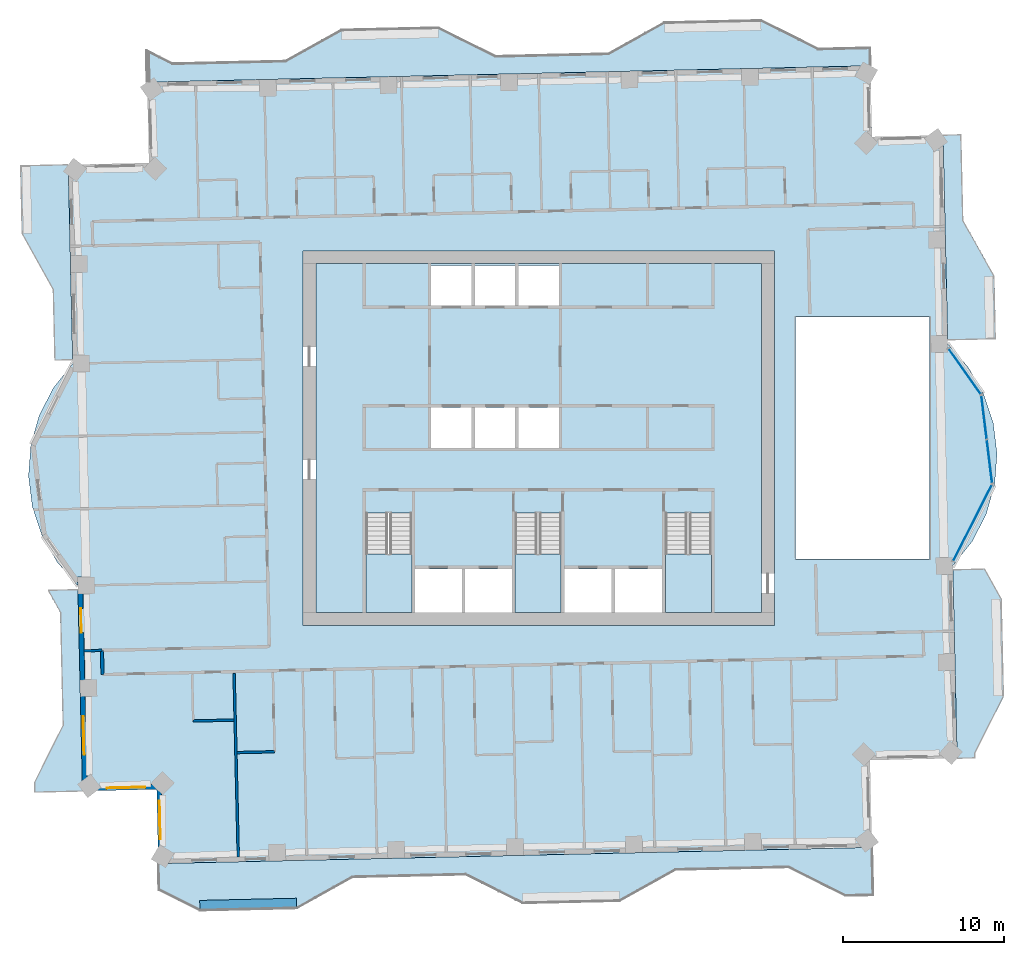
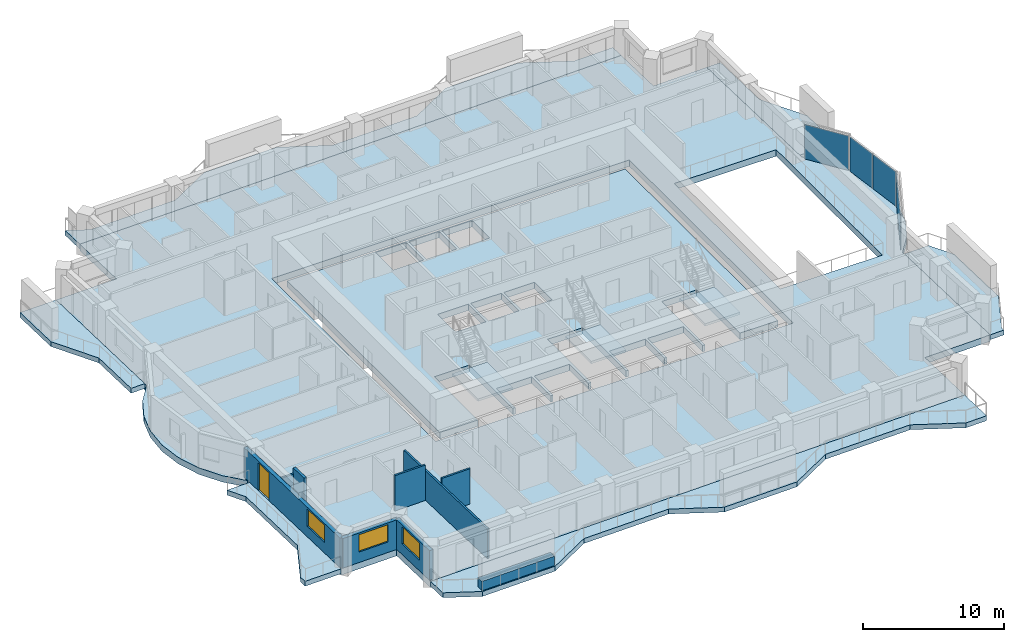
# One storey, part 5 of 17: 11 slabs, 9 walls, 4 plates, 3 windows, 1 door, 4 openings, 6 elements without a shape of their own.
"""IFC4 building model written with IfcOpenShell, lengths in metres."""

from ifc_helpers import new_model, si_unit, direction, frame, frame_2d, origin, origin_2d, place, context, subcontext, project, spatial, polyline, rectangle, outline, extrude, material, layer, layer_set, type_object, element, fill, aggregate, save


model = new_model("IFC4")

# Units and contexts
model_context = context("Model", 3, precision=1e-05, world=origin(), true_north=direction((0.0, 1.0)))
body_context = subcontext(model_context, "Body", "Model", "MODEL_VIEW")
ifc_project = project(units=[si_unit("LENGTHUNIT", "METRE"), si_unit("AREAUNIT", "SQUARE_METRE"), si_unit("VOLUMEUNIT", "CUBIC_METRE"), si_unit("PLANEANGLEUNIT", "RADIAN"), si_unit("MASSUNIT", "GRAM", prefix="KILO")], contexts=[model_context])

# Site, building, storey
site_placement = place(None, origin())
site = spatial("IfcSite", under=ifc_project, at=site_placement, CompositionType="ELEMENT")
building_placement = place(site_placement, origin())
building = spatial("IfcBuilding", under=site, at=building_placement, Name="Mangrove Gate Tower", CompositionType="ELEMENT")
storey_placement = place(building_placement, frame((0.0, 0.0, 241.89990234375)))
storey = spatial("IfcBuildingStorey", under=building, at=storey_placement, Name="L61", CompositionType="ELEMENT", Elevation=241.89990234375)

# Curtain wall, plate
ifc_material_1 = material(Name="Aluminium and glass curtain wall", Category="aluminium")
curtain_wall_type = type_object("IfcCurtainWallType", Name="Atrium garden-court glazing wall", PredefinedType="NOTDEFINED", material=ifc_material_1)
curtain_wall_1_placement = place(storey_placement, origin())
curtain_wall_1 = element("IfcCurtainWall", 1, at=curtain_wall_1_placement, inside=storey, type_object=curtain_wall_type, Name="Atrium garden-court glazing E1f1", PredefinedType="NOTDEFINED")
ifc_material_2 = material(Name="Laminated low-e glass", Category="glass")
ifc_layer_1 = layer(ifc_material_2, 0.031982421875)
ifc_layer_set_1 = layer_set([ifc_layer_1], Name="Atrium garden-court glazing panel 32")
plate_type = type_object("IfcPlateType", Name="Atrium garden-court glazing panel 32", PredefinedType="CURTAIN_PANEL", material=ifc_layer_set_1)
plate_1_placement = place(storey_placement, frame((26.87890625, -5.256591796875, 0.0), z_axis=(0.0, 0.0, 1.0), x_axis=(0.452597795636, 0.891714772439, 0.0)))
plate_1 = element("IfcPlate", 2, at=plate_1_placement, type_object=plate_type, Name="CWA panel 1.1", PredefinedType="CURTAIN_PANEL", context=body_context, shape_type="SweptSolid", body=[
    extrude(rectangle(XDim=5.258056640625, YDim=0.031982421875, at=origin_2d()), origin(), (0.0, 0.0, 1.0), 2.97998046875),
])
aggregate(curtain_wall_1, [plate_1])

# Curtain wall, plates
curtain_wall_2_placement = place(storey_placement, origin())
curtain_wall_2 = element("IfcCurtainWall", 3, at=curtain_wall_2_placement, inside=storey, type_object=curtain_wall_type, Name="Atrium garden-court glazing E1f2", PredefinedType="NOTDEFINED")
plate_2_placement = place(storey_placement, frame((27.92822265625, -1.449462890625, 0.0), z_axis=(0.0, 0.0, 1.0), x_axis=(-0.122172285885, 0.992508908051, 0.0)))
plate_2 = element("IfcPlate", 4, at=plate_2_placement, type_object=plate_type, Name="CWA panel 1.1", PredefinedType="CURTAIN_PANEL", context=body_context, shape_type="SweptSolid", body=[
    extrude(rectangle(XDim=2.681640625, YDim=0.031982421875, at=origin_2d()), origin(), (0.0, 0.0, 1.0), 2.97998046875),
])
plate_3_placement = place(storey_placement, frame((27.592041015625, 1.281494140625, 0.0), z_axis=(0.0, 0.0, 1.0), x_axis=(-0.122172285885, 0.992508908051, 0.0)))
plate_3 = element("IfcPlate", 5, at=plate_3_placement, type_object=plate_type, Name="CWA panel 2.1", PredefinedType="CURTAIN_PANEL", context=body_context, shape_type="SweptSolid", body=[
    extrude(rectangle(XDim=2.681640625, YDim=0.031982421875, at=origin_2d()), origin(), (0.0, 0.0, 1.0), 2.97998046875),
])
aggregate(curtain_wall_2, [plate_2, plate_3])

# Curtain wall, plate
curtain_wall_3_placement = place(storey_placement, origin())
curtain_wall_3 = element("IfcCurtainWall", 6, at=curtain_wall_3_placement, inside=storey, type_object=curtain_wall_type, Name="Atrium garden-court glazing E1f3", PredefinedType="NOTDEFINED")
plate_4_placement = place(storey_placement, frame((26.38818359375, 4.1376953125, 0.0), z_axis=(0.0, 0.0, 1.0), x_axis=(-0.578120908245, 0.815951110944, 0.0)))
plate_4 = element("IfcPlate", 7, at=plate_4_placement, type_object=plate_type, Name="CWA panel 1.1", PredefinedType="CURTAIN_PANEL", context=body_context, shape_type="SweptSolid", body=[
    extrude(rectangle(XDim=3.4287109375, YDim=0.031982421875, at=origin_2d()), origin(), (0.0, 0.0, 1.0), 2.97998046875),
])
aggregate(curtain_wall_3, [plate_4])

# Slabs
ifc_material_3 = material(Name="Porcelain tile")
ifc_layer_2 = layer(ifc_material_3, 0.02001953125, Name="Tile finish")
ifc_material_4 = material(Name="Cement sand screed")
ifc_layer_3 = layer(ifc_material_4, 0.0400390625, Name="Screed laid to falls")
ifc_material_5 = material(Name="Bituminous waterproofing membrane")
ifc_layer_4 = layer(ifc_material_5, 0.00390625, Name="Waterproofing")
ifc_material_6 = material(Name="Concrete C40/50", Category="concrete")
ifc_layer_5 = layer(ifc_material_6, 0.340087890625, Name="Balcony structural slab")
ifc_material_7 = material(Name="Limestone", Category="masonry")
ifc_layer_6 = layer(ifc_material_7, 0.01611328125, Name="Soffit lining")
ifc_layer_set_2 = layer_set([ifc_layer_2, ifc_layer_3, ifc_layer_4, ifc_layer_5, ifc_layer_6], Name="Balcony slab 420 C40/50")
slab_type_1 = type_object("IfcSlabType", Name="Balcony slab 420 C40/50", PredefinedType="FLOOR", material=ifc_layer_set_2)
slab_1_placement = place(storey_placement, frame((0.0, 0.0, -0.419921875)))
element("IfcSlab", 8, at=slab_1_placement, inside=storey, type_object=slab_type_1, Name="BALCONY L61 E0", PredefinedType="FLOOR", context=body_context, shape_type="SweptSolid", body=[
    extrude(outline(polyline([(27.06298828125, -19.803955078125), (27.055908203125, -19.50390625), (28.826904296875, -15.962890625), (28.68994140625, -9.965087890625), (27.656982421875, -8.113037109375), (25.658935546875, -8.158935546875), (25.700927734375, -10.032958984375), (25.8369140625, -16.031005859375), (25.9169921875, -19.530029296875), (25.924072265625, -19.830078125), (27.06298828125, -19.803955078125)])), origin(), (0.0, 0.0, 1.0), 0.419921875),
])
slab_2_placement = place(storey_placement, frame((0.0, 0.0, -0.419921875)))
element("IfcSlab", 9, at=slab_2_placement, inside=storey, type_object=slab_type_1, Name="BALCONY L61 E1", PredefinedType="FLOOR", context=body_context, shape_type="SweptSolid", body=[
    extrude(outline(polyline([(28.324951171875, 6.156005859375), (28.237060546875, 10.030029296875), (26.30810546875, 13.487060546875), (26.18798828125, 18.785888671875), (25.048095703125, 18.760009765625), (25.16796875, 13.4609375), (25.2470703125, 9.9619140625), (25.3349609375, 6.087890625), (28.324951171875, 6.156005859375)])), origin(), (0.0, 0.0, 1.0), 0.419921875),
])
slab_3_placement = place(storey_placement, frame((0.0, 0.0, -0.419921875)))
element("IfcSlab", 10, at=slab_3_placement, inside=storey, type_object=slab_type_1, Name="BALCONY L61 N0", PredefinedType="FLOOR", context=body_context, shape_type="SweptSolid", body=[
    extrude(outline(polyline([(20.52294921875, 24.198974609375), (17.320068359375, 24.1259765625), (13.779052734375, 25.89599609375), (7.781005859375, 25.760009765625), (4.322998046875, 23.8310546875), (-2.675048828125, 23.673095703125), (-6.216064453125, 25.44189453125), (-12.214111328125, 25.305908203125), (-15.6708984375, 23.376953125), (-22.669921875, 23.218994140625), (-24.2919921875, 24.030029296875), (-24.2470703125, 22.0419921875), (-2.64892578125, 22.531982421875), (-1.84912109375, 22.551025390625), (20.549072265625, 23.05908203125), (20.52294921875, 24.198974609375)])), origin(), (0.0, 0.0, 1.0), 0.419921875),
])
slab_4_placement = place(storey_placement, frame((0.0, 0.0, -0.419921875)))
element("IfcSlab", 11, at=slab_4_placement, inside=storey, type_object=slab_type_1, Name="BALCONY L61 W0", PredefinedType="FLOOR", context=body_context, shape_type="SweptSolid", body=[
    extrude(outline(polyline([(-32.1220703125, 16.862060546875), (-32.027099609375, 12.6630859375), (-30.097900390625, 9.2060546875), (-29.998046875, 4.8330078125), (-28.85888671875, 4.85888671875), (-28.9580078125, 9.23193359375), (-29.037109375, 12.73095703125), (-29.133056640625, 16.929931640625), (-32.1220703125, 16.862060546875)])), origin(), (0.0, 0.0, 1.0), 0.419921875),
])
slab_5_placement = place(storey_placement, frame((0.0, 0.0, -0.419921875)))
element("IfcSlab", 12, at=slab_5_placement, inside=storey, type_object=slab_type_1, Name="BALCONY L61 W1", PredefinedType="FLOOR", context=body_context, shape_type="SweptSolid", body=[
    extrude(outline(polyline([(-30.402099609375, -9.430908203125), (-29.64404296875, -10.7890625), (-29.485107421875, -17.787109375), (-31.2548828125, -21.327880859375), (-31.241943359375, -21.927978515625), (-28.251953125, -21.860107421875), (-28.26611328125, -21.260009765625), (-28.344970703125, -17.760986328125), (-28.50390625, -10.762939453125), (-28.534912109375, -9.387939453125), (-30.402099609375, -9.430908203125)])), origin(), (0.0, 0.0, 1.0), 0.419921875),
])
slab_6_placement = place(storey_placement, frame((0.0, 0.0, -0.419921875)))
element("IfcSlab", 13, at=slab_6_placement, inside=storey, type_object=slab_type_1, Name="BALCONY L61 S0", PredefinedType="FLOOR", context=body_context, shape_type="SweptSolid", body=[
    extrude(outline(polyline([(-23.549072265625, -26.35400390625), (-23.510986328125, -28.02001953125), (-20.97802734375, -29.287109375), (-14.97998046875, -29.15087890625), (-11.52197265625, -27.221923828125), (-4.52392578125, -27.06298828125), (-0.98291015625, -28.8330078125), (5.014892578125, -28.697021484375), (8.471923828125, -26.76806640625), (15.470947265625, -26.610107421875), (19.011962890625, -28.37890625), (20.715087890625, -28.341064453125), (20.64697265625, -25.35107421875), (-21.0458984375, -26.298095703125), (-23.549072265625, -26.35400390625)])), origin(), (0.0, 0.0, 1.0), 0.419921875),
])
ifc_material_8 = material(Name="Concrete C40/50", Category="concrete")
ifc_layer_7 = layer(ifc_material_8, 0.550048828125)
ifc_layer_set_3 = layer_set([ifc_layer_7], Name="Core floor slab 550 C40/50")
slab_type_2 = type_object("IfcSlabType", Name="Core floor slab 550 C40/50", PredefinedType="FLOOR", material=ifc_layer_set_3)
slab_7_placement = place(storey_placement, frame((0.0, 0.0, -0.5498046875)))
element("IfcSlab", 14, at=slab_7_placement, inside=storey, type_object=slab_type_2, Name="SLAB-L61-CORE-1", PredefinedType="FLOOR", context=body_context, shape_type="SweptSolid", body=[
    extrude(outline(polyline([(-13.800048828125, -10.800048828125), (-13.800048828125, 10.800048828125), (13.800048828125, 10.800048828125), (13.800048828125, -10.800048828125), (10.699951171875, -10.800048828125), (10.699951171875, -4.653076171875), (7.85009765625, -4.653076171875), (7.85009765625, -10.800048828125), (7.64990234375, -10.800048828125), (7.64990234375, -8.10009765625), (4.72509765625, -8.10009765625), (4.72509765625, -10.800048828125), (4.52490234375, -10.800048828125), (4.52490234375, -8.10009765625), (1.60009765625, -8.10009765625), (1.60009765625, -10.800048828125), (1.39990234375, -10.800048828125), (1.39990234375, -4.653076171875), (-1.449951171875, -4.653076171875), (-1.449951171875, -10.800048828125), (-1.64990234375, -10.800048828125), (-1.64990234375, -8.10009765625), (-4.550048828125, -8.10009765625), (-4.550048828125, -10.800048828125), (-4.75, -10.800048828125), (-4.75, -8.10009765625), (-7.64990234375, -8.10009765625), (-7.64990234375, -10.800048828125), (-7.85009765625, -10.800048828125), (-7.85009765625, -4.653076171875), (-10.699951171875, -4.653076171875), (-10.699951171875, -10.800048828125), (-13.800048828125, -10.800048828125)]), holes=[polyline([(-4.14990234375, 1.89990234375), (-6.64990234375, 1.89990234375), (-6.64990234375, -0.60009765625), (-4.14990234375, -0.60009765625), (-4.14990234375, 1.89990234375)]), polyline([(-1.449951171875, -0.60009765625), (-1.449951171875, 1.89990234375), (-3.949951171875, 1.89990234375), (-3.949951171875, -0.60009765625), (-1.449951171875, -0.60009765625)]), polyline([(-4.14990234375, 8.199951171875), (-4.14990234375, 10.699951171875), (-6.64990234375, 10.699951171875), (-6.64990234375, 8.199951171875), (-4.14990234375, 8.199951171875)]), polyline([(-1.449951171875, 10.699951171875), (-3.949951171875, 10.699951171875), (-3.949951171875, 8.199951171875), (-1.449951171875, 8.199951171875), (-1.449951171875, 10.699951171875)]), polyline([(1.25, -0.60009765625), (1.25, 1.89990234375), (-1.25, 1.89990234375), (-1.25, -0.60009765625), (1.25, -0.60009765625)]), polyline([(1.25, 8.199951171875), (1.25, 10.699951171875), (-1.25, 10.699951171875), (-1.25, 8.199951171875), (1.25, 8.199951171875)])]), origin(), (0.0, 0.0, 1.0), 0.5498046875),
])

# Stair, slab
ifc_material_9 = material(Name="Concrete C40/50", Category="concrete")
stair_type = type_object("IfcStairType", Name="Core stair 1350", PredefinedType="HALF_TURN_STAIR", material=ifc_material_9)
stair_1_placement = place(storey_placement, origin())
stair_1 = element("IfcStair", 15, at=stair_1_placement, inside=storey, type_object=stair_type, Name="L61 Stair 1", PredefinedType="HALF_TURN_STAIR")
ifc_material_10 = material(Name="Concrete C40/50", Category="concrete")
ifc_layer_8 = layer(ifc_material_10, 0.199951171875)
ifc_layer_set_4 = layer_set([ifc_layer_8], Name="Core stair landing 200")
slab_type_3 = type_object("IfcSlabType", Name="Core stair landing 200", PredefinedType="LANDING", material=ifc_layer_set_4)
slab_8_placement = place(storey_placement, frame((0.0, 0.0, 1.60009765625)))
slab_8 = element("IfcSlab", 16, at=slab_8_placement, type_object=slab_type_3, Name="ST1 landing 1", PredefinedType="LANDING", context=body_context, shape_type="SweptSolid", body=[
    extrude(outline(polyline([(-10.699951171875, -7.169921875), (-10.699951171875, -10.800048828125), (-7.85009765625, -10.800048828125), (-7.85009765625, -7.169921875), (-10.699951171875, -7.169921875)])), origin(), (0.0, 0.0, 1.0), 0.199951171875),
])
aggregate(stair_1, [slab_8])

stair_2_placement = place(storey_placement, origin())
stair_2 = element("IfcStair", 17, at=stair_2_placement, inside=storey, type_object=stair_type, Name="L61 Stair 2", PredefinedType="HALF_TURN_STAIR")
slab_9_placement = place(storey_placement, frame((0.0, 0.0, 1.60009765625)))
slab_9 = element("IfcSlab", 18, at=slab_9_placement, type_object=slab_type_3, Name="ST2 landing 1", PredefinedType="LANDING", context=body_context, shape_type="SweptSolid", body=[
    extrude(outline(polyline([(-1.449951171875, -7.169921875), (-1.449951171875, -10.800048828125), (1.39990234375, -10.800048828125), (1.39990234375, -7.169921875), (-1.449951171875, -7.169921875)])), origin(), (0.0, 0.0, 1.0), 0.199951171875),
])
aggregate(stair_2, [slab_9])

stair_3_placement = place(storey_placement, origin())
stair_3 = element("IfcStair", 19, at=stair_3_placement, inside=storey, type_object=stair_type, Name="L61 Stair 3", PredefinedType="HALF_TURN_STAIR")
slab_10_placement = place(storey_placement, frame((0.0, 0.0, 1.60009765625)))
slab_10 = element("IfcSlab", 20, at=slab_10_placement, type_object=slab_type_3, Name="ST3 landing 1", PredefinedType="LANDING", context=body_context, shape_type="SweptSolid", body=[
    extrude(outline(polyline([(7.85009765625, -7.169921875), (7.85009765625, -10.800048828125), (10.699951171875, -10.800048828125), (10.699951171875, -7.169921875), (7.85009765625, -7.169921875)])), origin(), (0.0, 0.0, 1.0), 0.199951171875),
])
aggregate(stair_3, [slab_10])

# Slab
ifc_material_11 = material(Name="Concrete C40/50", Category="concrete")
ifc_layer_9 = layer(ifc_material_11, 0.550048828125)
ifc_layer_set_5 = layer_set([ifc_layer_9], Name="Floor slab 550 C40/50")
slab_type_4 = type_object("IfcSlabType", Name="Floor slab 550 C40/50", PredefinedType="FLOOR", material=ifc_layer_set_5)
slab_11_placement = place(storey_placement, frame((0.0, 0.0, -0.5498046875)))
element("IfcSlab", 21, at=slab_11_placement, inside=storey, type_object=slab_type_4, Name="Floor slab L61", PredefinedType="FLOOR", context=body_context, shape_type="SweptSolid", body=[
    extrude(outline(polyline([(-23.549072265625, -26.354248046875), (20.6474609375, -25.351318359375), (20.52490234375, -19.95263671875), (25.923583984375, -19.830322265625), (25.653076171875, -7.90869140625), (26.849609375, -6.416259765625), (27.7265625, -4.71630859375), (28.2490234375, -2.87646484375), (28.396240234375, -0.96923828125), (28.16259765625, 0.92919921875), (27.55712890625, 2.74365234375), (26.60400390625, 4.40185546875), (25.341064453125, 5.83837890625), (25.0478515625, 18.759765625), (20.64892578125, 18.659912109375), (20.549072265625, 23.058837890625), (-24.247314453125, 22.042236328125), (-24.1337890625, 17.04345703125), (-29.132568359375, 16.93017578125), (-28.85302734375, 4.608642578125), (-30.049560546875, 3.1162109375), (-30.926513671875, 1.41650390625), (-31.448974609375, -0.423583984375), (-31.59619140625, -2.330810546875), (-31.362548828125, -4.229248046875), (-30.757080078125, -6.043701171875), (-29.803955078125, -7.701904296875), (-28.541015625, -9.138427734375), (-28.25244140625, -21.85986328125), (-23.653564453125, -21.755615234375), (-23.549072265625, -26.354248046875)]), holes=[polyline([(15.89990234375, 7.5), (24.22705078125, 7.5), (24.22705078125, -7.5), (15.89990234375, -7.5), (15.89990234375, 7.5)]), polyline([(-14.60009765625, -11.60009765625), (-14.60009765625, 11.60009765625), (14.60009765625, 11.60009765625), (14.60009765625, -11.60009765625), (-14.60009765625, -11.60009765625)])]), origin(), (0.0, 0.0, 1.0), 0.5498046875),
])

# Wall
ifc_material_12 = material(Name="Gypsum board on steel stud, EI 60", Category="steel")
ifc_layer_10 = layer(ifc_material_12, 0.199951171875)
ifc_layer_set_6 = layer_set([ifc_layer_10], Name="Corridor wall EI 60")
wall_type_1 = type_object("IfcWallType", Name="Corridor wall EI 60", PredefinedType="PARTITIONING", material=ifc_layer_set_6)
wall_1_placement = place(storey_placement, frame((-27.011962890625, -14.654052734375, 0.0), z_axis=(0.0, 0.0, 1.0), x_axis=(-0.022617910375, 0.999744182344, 0.0)))
element("IfcWall", 22, at=wall_1_placement, inside=storey, type_object=wall_type_1, Name="WALL-L61-030", PredefinedType="PARTITIONING", context=body_context, shape_type="SweptSolid", body=[
    extrude(rectangle(XDim=1.50048828125, YDim=0.199951171875, at=frame_2d((0.750244140625, 0.0))), origin(), (0.0, 0.0, 1.0), 3.050048828125),
])

# Wall, openings, door, window
ifc_layer_11 = layer(ifc_material_7, 0.0400390625, Name="Limestone cladding")
ifc_material_13 = material(Name="Ventilated air gap")
ifc_layer_12 = layer(ifc_material_13, 0.0400390625, Name="Ventilated cavity")
ifc_material_14 = material(Name="Mineral wool insulation")
ifc_layer_13 = layer(ifc_material_14, 0.06005859375, Name="Insulation")
ifc_material_15 = material(Name="Breather membrane")
ifc_layer_14 = layer(ifc_material_15, 0.001953125, Name="Breather membrane")
ifc_material_16 = material(Name="Concrete C20/25 blockwork", Category="masonry")
ifc_layer_15 = layer(ifc_material_16, 0.14990234375, Name="Blockwork backing wall")
ifc_material_17 = material(Name="Gypsum plaster")
ifc_layer_16 = layer(ifc_material_17, 0.008056640625, Name="Internal plaster")
ifc_layer_set_7 = layer_set([ifc_layer_11, ifc_layer_12, ifc_layer_13, ifc_layer_14, ifc_layer_15, ifc_layer_16], Name="External wall 300 limestone cladding")
wall_type_2 = type_object("IfcWallType", Name="External wall 300 limestone cladding", PredefinedType="SOLIDWALL", material=ifc_layer_set_7)
wall_2_placement = place(storey_placement, frame((-28.403076171875, -8.610107421875, 0.0), z_axis=(0.0, 0.0, 1.0), x_axis=(0.022680342038, -0.999742767958, 0.0)))
wall_2 = element("IfcWall", 23, at=wall_2_placement, inside=storey, type_object=wall_type_2, Name="WALL-L61-W10s1", PredefinedType="SOLIDWALL", context=body_context, shape_type="SweptSolid", body=[
    extrude(rectangle(XDim=13.100341796875, YDim=0.300048828125, at=frame_2d((6.55029296875, 0.0))), origin(), (0.0, 0.0, 1.0), 2.550048828125),
])
opening_1_placement = place(wall_2_placement, frame((1.93701171875, 0.0, 0.0)))
opening_1 = element("IfcOpeningElement", 24, at=opening_1_placement, cuts=wall_2, Name="Opening BD1", PredefinedType="OPENING", context=body_context, shape_type="SweptSolid", body=[
    extrude(rectangle(XDim=1.5, YDim=2.39990234375, at=frame_2d((0.75, 1.199951171875))), frame((0.0, 0.159912109375, 0.0), z_axis=(0.0, -1.0, 0.0), x_axis=(1.0, 0.0, 0.0)), (0.0, 0.0, 1.0), 0.320068359375),
])
opening_2_placement = place(wall_2_placement, frame((8.611083984375, 0.0, 0.89990234375)))
opening_2 = element("IfcOpeningElement", 25, at=opening_2_placement, cuts=wall_2, Name="Opening W2", PredefinedType="OPENING", context=body_context, shape_type="SweptSolid", body=[
    extrude(rectangle(XDim=2.39990234375, YDim=1.5, at=frame_2d((1.199951171875, 0.75))), frame((0.0, 0.159912109375, 0.0), z_axis=(0.0, -1.0, 0.0), x_axis=(1.0, 0.0, 0.0)), (0.0, 0.0, 1.0), 0.320068359375),
])
ifc_material_18 = material(Name="Aluminium frame with laminated clear glass", Category="aluminium")
door_type = type_object("IfcDoorType", Name="Balcony sliding door 1500x2400", OperationType="SLIDING_TO_LEFT", PredefinedType="DOOR", material=ifc_material_18)
door_placement = place(opening_1_placement, origin())
door = element("IfcDoor", 26, at=door_placement, inside=storey, type_object=door_type, Name="DOOR-L61-W10-1", OperationType="SLIDING_TO_LEFT", OverallHeight=2.39990234375, OverallWidth=1.5, PredefinedType="DOOR", context=body_context, shape_type="SweptSolid", body=[
    extrude(rectangle(XDim=1.5, YDim=2.39990234375, at=frame_2d((0.75, 1.199951171875))), frame((0.0, 0.02490234375, 0.0), z_axis=(0.0, -1.0, 0.0), x_axis=(1.0, 0.0, 0.0)), (0.0, 0.0, 1.0), 0.050048828125),
])
fill(opening_1, door)
ifc_material_19 = material(Name="Aluminium frame with double-glazed low-e glass", Category="aluminium")
window_type = type_object("IfcWindowType", Name="Corner room window 2400x1500", PartitioningType="DOUBLE_PANEL_VERTICAL", PredefinedType="WINDOW", material=ifc_material_19)
window_1_placement = place(opening_2_placement, origin())
window_1 = element("IfcWindow", 27, at=window_1_placement, inside=storey, type_object=window_type, Name="WIN-L61-W10-2", OverallHeight=1.5, OverallWidth=2.39990234375, PartitioningType="DOUBLE_PANEL_VERTICAL", PredefinedType="WINDOW", context=body_context, shape_type="SweptSolid", body=[
    extrude(rectangle(XDim=2.39990234375, YDim=1.5, at=frame_2d((1.199951171875, 0.75))), frame((0.0, 0.030029296875, 0.0), z_axis=(0.0, -1.0, 0.0), x_axis=(1.0, 0.0, 0.0)), (0.0, 0.0, 1.0), 0.06005859375),
])
fill(opening_2, window_1)

# Wall, opening, window
wall_3_placement = place(storey_placement, frame((-28.10595703125, -21.70703125, 0.0), z_axis=(0.0, 0.0, 1.0), x_axis=(0.999739556364, 0.022821468877, 0.0)))
wall_3 = element("IfcWall", 28, at=wall_3_placement, inside=storey, type_object=wall_type_2, Name="WALL-L61-S11", PredefinedType="SOLIDWALL", context=body_context, shape_type="SweptSolid", body=[
    extrude(rectangle(XDim=4.60009765625, YDim=0.300048828125, at=frame_2d((2.300048828125, 0.0))), origin(), (0.0, 0.0, 1.0), 2.550048828125),
])
opening_3_placement = place(wall_3_placement, frame((1.343994140625, 0.0, 0.89990234375)))
opening_3 = element("IfcOpeningElement", 29, at=opening_3_placement, cuts=wall_3, Name="Opening W2", PredefinedType="OPENING", context=body_context, shape_type="SweptSolid", body=[
    extrude(rectangle(XDim=2.39990234375, YDim=1.5, at=frame_2d((1.199951171875, 0.75))), frame((0.0, 0.159912109375, 0.0), z_axis=(0.0, -1.0, 0.0), x_axis=(1.0, 0.0, 0.0)), (0.0, 0.0, 1.0), 0.320068359375),
])
window_2_placement = place(opening_3_placement, origin())
window_2 = element("IfcWindow", 30, at=window_2_placement, inside=storey, type_object=window_type, Name="WIN-L61-S11-1", OverallHeight=1.5, OverallWidth=2.39990234375, PartitioningType="DOUBLE_PANEL_VERTICAL", PredefinedType="WINDOW", context=body_context, shape_type="SweptSolid", body=[
    extrude(rectangle(XDim=2.39990234375, YDim=1.5, at=frame_2d((1.199951171875, 0.75))), frame((0.0, 0.030029296875, 0.0), z_axis=(0.0, -1.0, 0.0), x_axis=(1.0, 0.0, 0.0)), (0.0, 0.0, 1.0), 0.06005859375),
])
fill(opening_3, window_2)

wall_4_placement = place(storey_placement, frame((-23.507080078125, -21.60205078125, 0.0), z_axis=(0.0, 0.0, 1.0), x_axis=(0.022609285172, -0.999744377441, 0.0)))
wall_4 = element("IfcWall", 31, at=wall_4_placement, inside=storey, type_object=wall_type_2, Name="WALL-L61-W12", PredefinedType="SOLIDWALL", context=body_context, shape_type="SweptSolid", body=[
    extrude(rectangle(XDim=4.60009765625, YDim=0.300048828125, at=frame_2d((2.300048828125, 0.0))), origin(), (0.0, 0.0, 1.0), 2.550048828125),
])
opening_4_placement = place(wall_4_placement, frame((0.85107421875, 0.0, 0.89990234375)))
opening_4 = element("IfcOpeningElement", 32, at=opening_4_placement, cuts=wall_4, Name="Opening W2", PredefinedType="OPENING", context=body_context, shape_type="SweptSolid", body=[
    extrude(rectangle(XDim=2.39990234375, YDim=1.5, at=frame_2d((1.199951171875, 0.75))), frame((0.0, 0.159912109375, 0.0), z_axis=(0.0, -1.0, 0.0), x_axis=(1.0, 0.0, 0.0)), (0.0, 0.0, 1.0), 0.320068359375),
])
window_3_placement = place(opening_4_placement, origin())
window_3 = element("IfcWindow", 33, at=window_3_placement, inside=storey, type_object=window_type, Name="WIN-L61-W12-1", OverallHeight=1.5, OverallWidth=2.39990234375, PartitioningType="DOUBLE_PANEL_VERTICAL", PredefinedType="WINDOW", context=body_context, shape_type="SweptSolid", body=[
    extrude(rectangle(XDim=2.39990234375, YDim=1.5, at=frame_2d((1.199951171875, 0.75))), frame((0.0, 0.030029296875, 0.0), z_axis=(0.0, -1.0, 0.0), x_axis=(1.0, 0.0, 0.0)), (0.0, 0.0, 1.0), 0.06005859375),
])
fill(opening_4, window_3)

# Walls
ifc_material_20 = material(Name="Gypsum board on steel stud, EI 60", Category="steel")
ifc_layer_17 = layer(ifc_material_20, 0.14990234375)
ifc_layer_set_8 = layer_set([ifc_layer_17], Name="Party wall 150 EI 60")
wall_type_3 = type_object("IfcWallType", Name="Party wall 150 EI 60", PredefinedType="PARTITIONING", material=ifc_layer_set_8)
wall_5_placement = place(storey_placement, frame((-18.60302734375, -25.94189453125, 0.0), z_axis=(0.0, 0.0, 1.0), x_axis=(-0.022684842063, 0.99974266586, 0.0)))
element("IfcWall", 34, at=wall_5_placement, inside=storey, type_object=wall_type_3, Name="WALL-L61-001", PredefinedType="PARTITIONING", context=body_context, shape_type="SweptSolid", body=[
    extrude(rectangle(XDim=11.375732421875, YDim=0.14990234375, at=frame_2d((5.68798828125, 0.0))), origin(), (0.0, 0.0, 1.0), 2.550048828125),
])
wall_6_placement = place(storey_placement, frame((-18.678955078125, -19.48193359375, 0.0), z_axis=(0.0, 0.0, 1.0), x_axis=(0.999740478815, 0.022781023197, 0.0)))
element("IfcWall", 35, at=wall_6_placement, inside=storey, type_object=wall_type_3, Name="WALL-L61-023", PredefinedType="PARTITIONING", context=body_context, shape_type="SweptSolid", body=[
    extrude(rectangle(XDim=2.325439453125, YDim=0.14990234375, at=frame_2d((1.16259765625, 0.0))), origin(), (0.0, 0.0, 1.0), 3.050048828125),
])
wall_7_placement = place(storey_placement, frame((-21.39892578125, -17.52294921875, 0.0), z_axis=(0.0, 0.0, 1.0), x_axis=(0.9997461113, 0.022532486354, 0.0)))
element("IfcWall", 36, at=wall_7_placement, inside=storey, type_object=wall_type_3, Name="WALL-L61-027", PredefinedType="PARTITIONING", context=body_context, shape_type="SweptSolid", body=[
    extrude(rectangle(XDim=2.524658203125, YDim=0.14990234375, at=frame_2d((1.26220703125, 0.0))), origin(), (0.0, 0.0, 1.0), 3.050048828125),
])
wall_8_placement = place(storey_placement, frame((-28.14892578125, -13.175048828125, 0.0), z_axis=(0.0, 0.0, 1.0), x_axis=(0.999740233734, 0.022791776024, 0.0)))
element("IfcWall", 37, at=wall_8_placement, inside=storey, type_object=wall_type_3, Name="WALL-L61-035", PredefinedType="PARTITIONING", context=body_context, shape_type="SweptSolid", body=[
    extrude(rectangle(XDim=1.103271484375, YDim=0.14990234375, at=frame_2d((0.5517578125, 0.0))), origin(), (0.0, 0.0, 1.0), 2.550048828125),
])
ifc_material_21 = material(Name="Concrete C32/40", Category="concrete")
ifc_layer_18 = layer(ifc_material_21, 0.199951171875, Name="Planter trough wall")
ifc_layer_19 = layer(ifc_material_5, 0.0048828125, Name="Waterproofing")
ifc_material_22 = material(Name="Drainage board and gravel")
ifc_layer_20 = layer(ifc_material_22, 0.044921875, Name="Drainage layer")
ifc_material_23 = material(Name="Planting soil")
ifc_layer_21 = layer(ifc_material_23, 0.300048828125, Name="Growing medium")
ifc_layer_set_9 = layer_set([ifc_layer_18, ifc_layer_19, ifc_layer_20, ifc_layer_21], Name="Planter wall 550 C32/40")
wall_type_4 = type_object("IfcWallType", Name="Planter wall 550 C32/40", PredefinedType="USERDEFINED", material=ifc_layer_set_9)
wall_9_placement = place(storey_placement, frame((-20.986083984375, -28.912109375, 0.0), z_axis=(0.0, 0.0, 1.0), x_axis=(0.999742171567, 0.022706615587, 0.0)))
element("IfcWall", 38, at=wall_9_placement, inside=storey, type_object=wall_type_4, Name="PLANTER L61 S0.1", ObjectType="PLANTER", PredefinedType="USERDEFINED", context=body_context, shape_type="SweptSolid", body=[
    extrude(rectangle(XDim=5.99951171875, YDim=0.550048828125, at=frame_2d((2.999755859375, 0.0))), origin(), (0.0, 0.0, 1.0), 0.800048828125),
])

save(model, "model.ifc")
